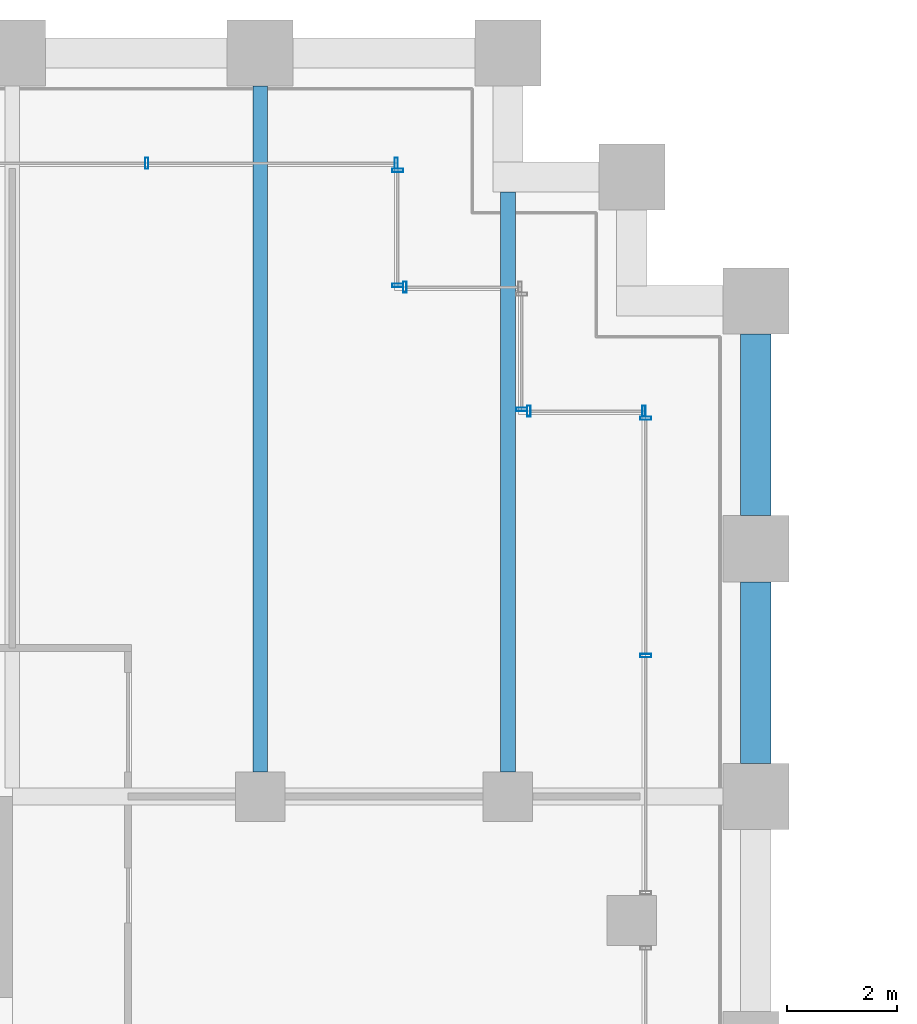
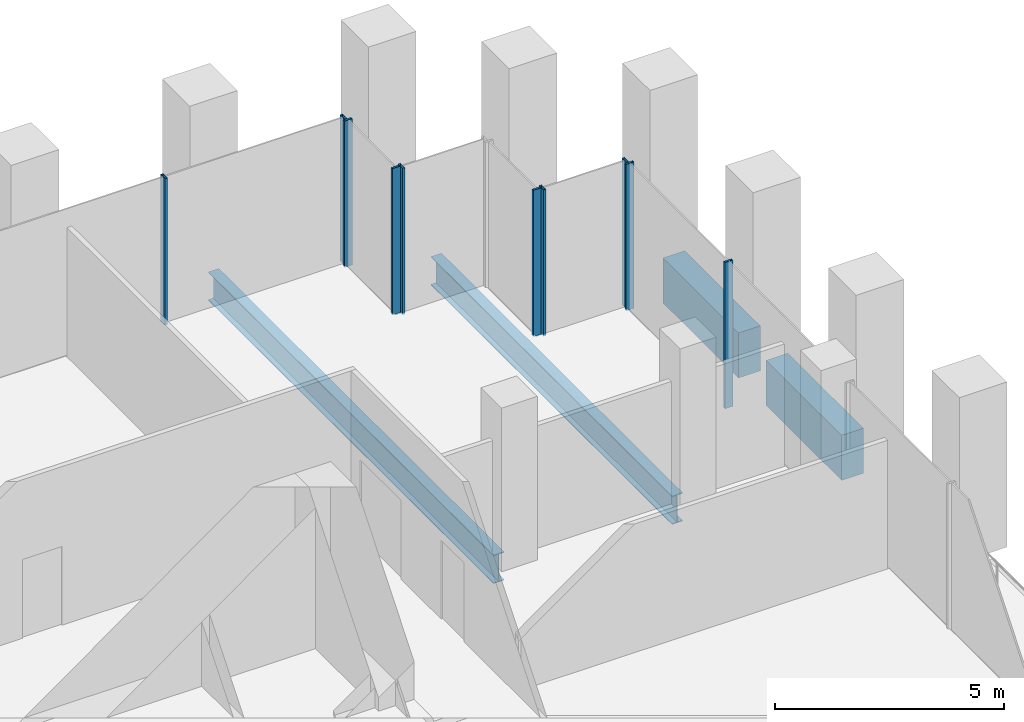
# One storey, part 17 of 36: 10 members, 4 beams, 6 elements without a shape of their own.
"""IFC4 building model written with IfcOpenShell, lengths in metres."""

from ifc_helpers import new_model, si_unit, direction, frame, origin, origin_2d, place, context, subcontext, project, spatial, rectangle, hollow_rectangle, i_section, extrude, material, material_profile, profile_set, type_object, element, aggregate, save


model = new_model("IFC4")

# Units and contexts
model_context = context("Model", 3, precision=1e-05, world=origin(), true_north=direction((0.0, 1.0)))
body_context = subcontext(model_context, "Body", "Model", "MODEL_VIEW")
ifc_project = project(units=[si_unit("LENGTHUNIT", "METRE"), si_unit("AREAUNIT", "SQUARE_METRE"), si_unit("VOLUMEUNIT", "CUBIC_METRE"), si_unit("PLANEANGLEUNIT", "RADIAN"), si_unit("MASSUNIT", "GRAM", prefix="KILO")], contexts=[model_context])

# Site, building, storey
site_placement = place(None, origin())
site = spatial("IfcSite", under=ifc_project, at=site_placement, CompositionType="ELEMENT")
building_placement = place(site_placement, origin())
building = spatial("IfcBuilding", under=site, at=building_placement, Name="Altepetl Exchange Towers", CompositionType="ELEMENT")
storey_placement = place(building_placement, frame((0.0, 0.0, 25.39990234375)))
storey = spatial("IfcBuildingStorey", under=building, at=storey_placement, Name="L05", CompositionType="ELEMENT", Elevation=25.39990234375)

# Beams
ifc_material_1 = material(Name="Steel S355", Category="steel")
ifc_material_profile_1 = material_profile(ifc_material_1, i_section(OverallWidth=0.26611328125, OverallDepth=0.758056640625, WebThickness=0.013916015625, FlangeThickness=0.019287109375, at=origin_2d()), Name="W30X108")
ifc_profile_set_1 = profile_set([ifc_material_profile_1], Name="Steel S355")
beam_type_1 = type_object("IfcBeamType", Name="Floor beam W30X108", PredefinedType="BEAM", material=ifc_profile_set_1)
beam_1_placement = place(storey_placement, frame((63.0, 58.949951171875, -0.553955078125), z_axis=(0.0, 1.0, 0.0), x_axis=(-1.0, 0.0, 0.0)))
element("IfcBeam", 1, at=beam_1_placement, inside=storey, type_object=beam_type_1, Name="bm:A:L05:004", PredefinedType="BEAM", context=body_context, shape_type="SweptSolid", body=[
    extrude(i_section(OverallWidth=0.26611328125, OverallDepth=0.758056640625, WebThickness=0.013916015625, FlangeThickness=0.019287109375, at=origin_2d()), origin(), (0.0, 0.0, 1.0), 12.449951171875),
])
beam_2_placement = place(storey_placement, frame((67.5, 58.949951171875, -0.553955078125), z_axis=(0.0, 1.0, 0.0), x_axis=(-1.0, 0.0, 0.0)))
element("IfcBeam", 2, at=beam_2_placement, inside=storey, type_object=beam_type_1, Name="bm:A:L05:005", PredefinedType="BEAM", context=body_context, shape_type="SweptSolid", body=[
    extrude(i_section(OverallWidth=0.26611328125, OverallDepth=0.758056640625, WebThickness=0.013916015625, FlangeThickness=0.019287109375, at=origin_2d()), origin(), (0.0, 0.0, 1.0), 10.525146484375),
])

# Curtain wall, members
ifc_material_2 = material(Name="Aluminium 6063-T6 glazing", Category="aluminium")
curtain_wall_type = type_object("IfcCurtainWallType", Name="Trading floor glazing system", PredefinedType="NOTDEFINED", material=ifc_material_2)
curtain_wall_1_placement = place(storey_placement, origin())
curtain_wall_1 = element("IfcCurtainWall", 3, at=curtain_wall_1_placement, inside=storey, type_object=curtain_wall_type, Name="CW2 run", PredefinedType="NOTDEFINED")
ifc_material_3 = material(Name="Aluminium 6063-T6", Category="aluminium")
ifc_material_profile_2 = material_profile(ifc_material_3, hollow_rectangle(XDim=0.06005859375, YDim=0.199951171875, WallThickness=0.0029296875, at=origin_2d()), Name="Mullion 60x200 aluminium")
ifc_profile_set_2 = profile_set([ifc_material_profile_2], Name="Aluminium 6063-T6")
member_type = type_object("IfcMemberType", Name="Mullion 60x200 aluminium", PredefinedType="MULLION", material=ifc_profile_set_2)
member_1_placement = place(storey_placement, frame((70.0, 61.06005859375, 0.0), z_axis=(0.0, 0.0, 1.0), x_axis=(0.0, 1.0, 0.0)))
member_1 = element("IfcMember", 4, at=member_1_placement, type_object=member_type, Name="MU2 mullion", PredefinedType="MULLION", context=body_context, shape_type="SweptSolid", body=[
    extrude(hollow_rectangle(XDim=0.06005859375, YDim=0.199951171875, WallThickness=0.0029296875, at=origin_2d()), origin(), (0.0, 0.0, 1.0), 3.900146484375),
])
member_2_placement = place(storey_placement, frame((70.0, 65.3701171875, 0.0), z_axis=(0.0, 0.0, 1.0), x_axis=(0.0, 1.0, 0.0)))
member_2 = element("IfcMember", 5, at=member_2_placement, type_object=member_type, Name="MU2 mullion", PredefinedType="MULLION", context=body_context, shape_type="SweptSolid", body=[
    extrude(hollow_rectangle(XDim=0.06005859375, YDim=0.199951171875, WallThickness=0.0029296875, at=origin_2d()), origin(), (0.0, 0.0, 1.0), 3.900146484375),
])
aggregate(curtain_wall_1, [member_1, member_2])

curtain_wall_2_placement = place(storey_placement, origin())
curtain_wall_2 = element("IfcCurtainWall", 6, at=curtain_wall_2_placement, inside=storey, type_object=curtain_wall_type, Name="CW2 run", PredefinedType="NOTDEFINED")
member_3_placement = place(storey_placement, frame((69.969970703125, 65.5, 0.0), z_axis=(0.0, 0.0, 1.0), x_axis=(-1.0, 0.0, 0.0)))
member_3 = element("IfcMember", 7, at=member_3_placement, type_object=member_type, Name="MU2 mullion", PredefinedType="MULLION", context=body_context, shape_type="SweptSolid", body=[
    extrude(hollow_rectangle(XDim=0.06005859375, YDim=0.199951171875, WallThickness=0.0029296875, at=origin_2d()), origin(), (0.0, 0.0, 1.0), 3.900146484375),
])
member_4_placement = place(storey_placement, frame((67.8798828125, 65.5, 0.0), z_axis=(0.0, 0.0, 1.0), x_axis=(-1.0, 0.0, 0.0)))
member_4 = element("IfcMember", 8, at=member_4_placement, type_object=member_type, Name="MU2 mullion", PredefinedType="MULLION", context=body_context, shape_type="SweptSolid", body=[
    extrude(hollow_rectangle(XDim=0.06005859375, YDim=0.199951171875, WallThickness=0.0029296875, at=origin_2d()), origin(), (0.0, 0.0, 1.0), 3.900146484375),
])
aggregate(curtain_wall_2, [member_3, member_4])

# Curtain wall, member
curtain_wall_3_placement = place(storey_placement, origin())
curtain_wall_3 = element("IfcCurtainWall", 9, at=curtain_wall_3_placement, inside=storey, type_object=curtain_wall_type, Name="CW2 run", PredefinedType="NOTDEFINED")
member_5_placement = place(storey_placement, frame((67.75, 65.530029296875, 0.0), z_axis=(0.0, 0.0, 1.0), x_axis=(0.0, 1.0, 0.0)))
member_5 = element("IfcMember", 10, at=member_5_placement, type_object=member_type, Name="MU2 mullion", PredefinedType="MULLION", context=body_context, shape_type="SweptSolid", body=[
    extrude(hollow_rectangle(XDim=0.06005859375, YDim=0.199951171875, WallThickness=0.0029296875, at=origin_2d()), origin(), (0.0, 0.0, 1.0), 3.900146484375),
])
aggregate(curtain_wall_3, [member_5])

curtain_wall_4_placement = place(storey_placement, origin())
curtain_wall_4 = element("IfcCurtainWall", 11, at=curtain_wall_4_placement, inside=storey, type_object=curtain_wall_type, Name="CW2 run", PredefinedType="NOTDEFINED")
member_6_placement = place(storey_placement, frame((65.6298828125, 67.75, 0.0), z_axis=(0.0, 0.0, 1.0), x_axis=(-1.0, 0.0, 0.0)))
member_6 = element("IfcMember", 12, at=member_6_placement, type_object=member_type, Name="MU2 mullion", PredefinedType="MULLION", context=body_context, shape_type="SweptSolid", body=[
    extrude(hollow_rectangle(XDim=0.06005859375, YDim=0.199951171875, WallThickness=0.0029296875, at=origin_2d()), origin(), (0.0, 0.0, 1.0), 3.900146484375),
])
aggregate(curtain_wall_4, [member_6])

# Curtain wall, members
curtain_wall_5_placement = place(storey_placement, origin())
curtain_wall_5 = element("IfcCurtainWall", 13, at=curtain_wall_5_placement, inside=storey, type_object=curtain_wall_type, Name="CW2 run", PredefinedType="NOTDEFINED")
member_7_placement = place(storey_placement, frame((65.5, 67.780029296875, 0.0), z_axis=(0.0, 0.0, 1.0), x_axis=(0.0, 1.0, 0.0)))
member_7 = element("IfcMember", 14, at=member_7_placement, type_object=member_type, Name="MU2 mullion", PredefinedType="MULLION", context=body_context, shape_type="SweptSolid", body=[
    extrude(hollow_rectangle(XDim=0.06005859375, YDim=0.199951171875, WallThickness=0.0029296875, at=origin_2d()), origin(), (0.0, 0.0, 1.0), 3.900146484375),
])
member_8_placement = place(storey_placement, frame((65.5, 69.8701171875, 0.0), z_axis=(0.0, 0.0, 1.0), x_axis=(0.0, 1.0, 0.0)))
member_8 = element("IfcMember", 15, at=member_8_placement, type_object=member_type, Name="MU2 mullion", PredefinedType="MULLION", context=body_context, shape_type="SweptSolid", body=[
    extrude(hollow_rectangle(XDim=0.06005859375, YDim=0.199951171875, WallThickness=0.0029296875, at=origin_2d()), origin(), (0.0, 0.0, 1.0), 3.900146484375),
])
aggregate(curtain_wall_5, [member_7, member_8])

curtain_wall_6_placement = place(storey_placement, origin())
curtain_wall_6 = element("IfcCurtainWall", 16, at=curtain_wall_6_placement, inside=storey, type_object=curtain_wall_type, Name="CW2 run", PredefinedType="NOTDEFINED")
member_9_placement = place(storey_placement, frame((65.469970703125, 70.0, 0.0), z_axis=(0.0, 0.0, 1.0), x_axis=(-1.0, 0.0, 0.0)))
member_9 = element("IfcMember", 17, at=member_9_placement, type_object=member_type, Name="MU2 mullion", PredefinedType="MULLION", context=body_context, shape_type="SweptSolid", body=[
    extrude(hollow_rectangle(XDim=0.06005859375, YDim=0.199951171875, WallThickness=0.0029296875, at=origin_2d()), origin(), (0.0, 0.0, 1.0), 3.900146484375),
])
member_10_placement = place(storey_placement, frame((60.94287109375, 70.0, 0.0), z_axis=(0.0, 0.0, 1.0), x_axis=(-1.0, 0.0, 0.0)))
member_10 = element("IfcMember", 18, at=member_10_placement, type_object=member_type, Name="MU2 mullion", PredefinedType="MULLION", context=body_context, shape_type="SweptSolid", body=[
    extrude(hollow_rectangle(XDim=0.06005859375, YDim=0.199951171875, WallThickness=0.0029296875, at=origin_2d()), origin(), (0.0, 0.0, 1.0), 3.900146484375),
])
aggregate(curtain_wall_6, [member_9, member_10])

# Beams
ifc_material_4 = material(Name="Concrete C50/60 precast with cantera rosa facing", Category="concrete")
ifc_material_profile_3 = material_profile(ifc_material_4, rectangle(XDim=0.550048828125, YDim=1.199951171875, at=origin_2d()), Name="550 x 1200")
ifc_profile_set_3 = profile_set([ifc_material_profile_3], Name="Concrete C50/60 precast with cantera rosa facing")
beam_type_2 = type_object("IfcBeamType", Name="Spandrel beam 550x1200 cantera rosa", PredefinedType="SPANDREL", material=ifc_profile_set_3)
for number, where, z_axis, x_axis, name in (
    (19, (72.0, 59.10009765625, -0.77490234375), (0.0, 1.0, 0.0), (-1.0, 0.0, 0.0), "sp:A:L05:018"),
    (20, (72.0, 63.60009765625, -0.77490234375), (0.0, 1.0, 0.0), (-1.0, 0.0, 0.0), "sp:A:L05:019"),
):
    element("IfcBeam", number, at=place(storey_placement, frame(where, z_axis=z_axis, x_axis=x_axis)), inside=storey, type_object=beam_type_2, Name=name, PredefinedType="SPANDREL", context=body_context, shape_type="SweptSolid", body=[
        extrude(rectangle(XDim=0.550048828125, YDim=1.199951171875, at=origin_2d()), origin(), (0.0, 0.0, 1.0), 3.2998046875),
    ])

save(model, "model.ifc")
